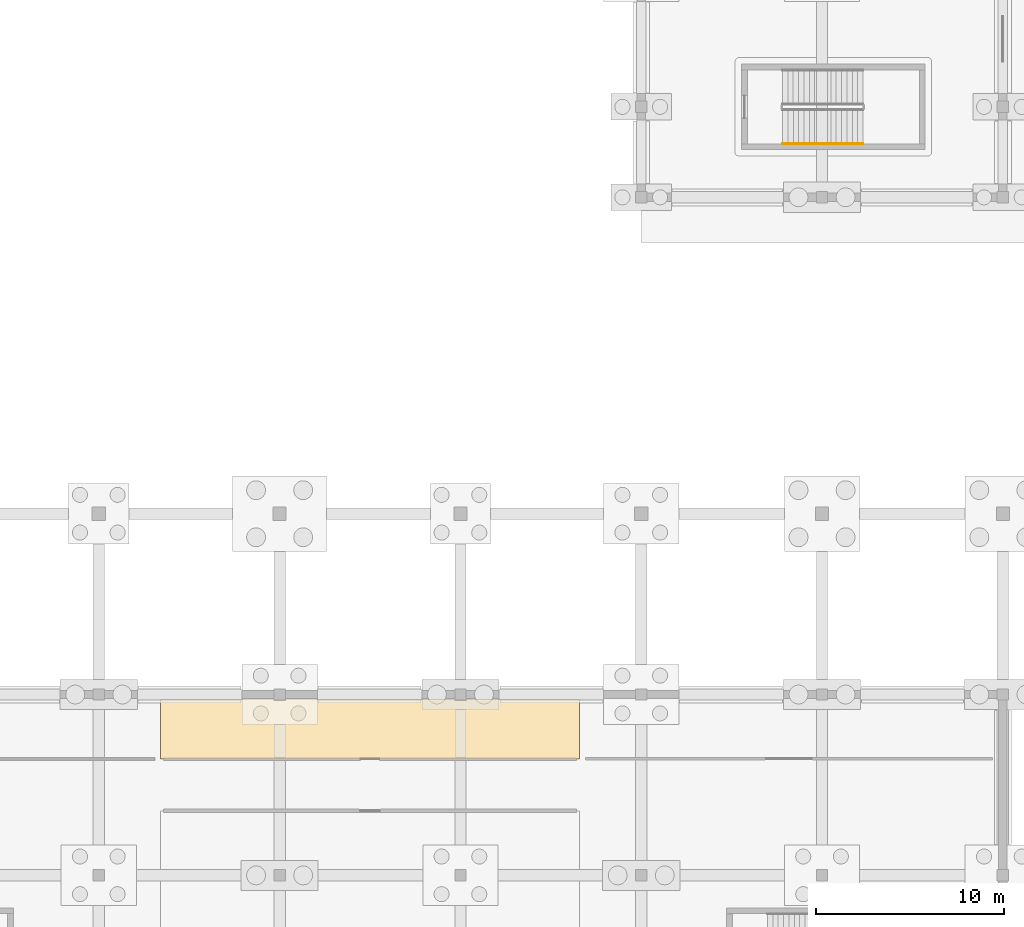
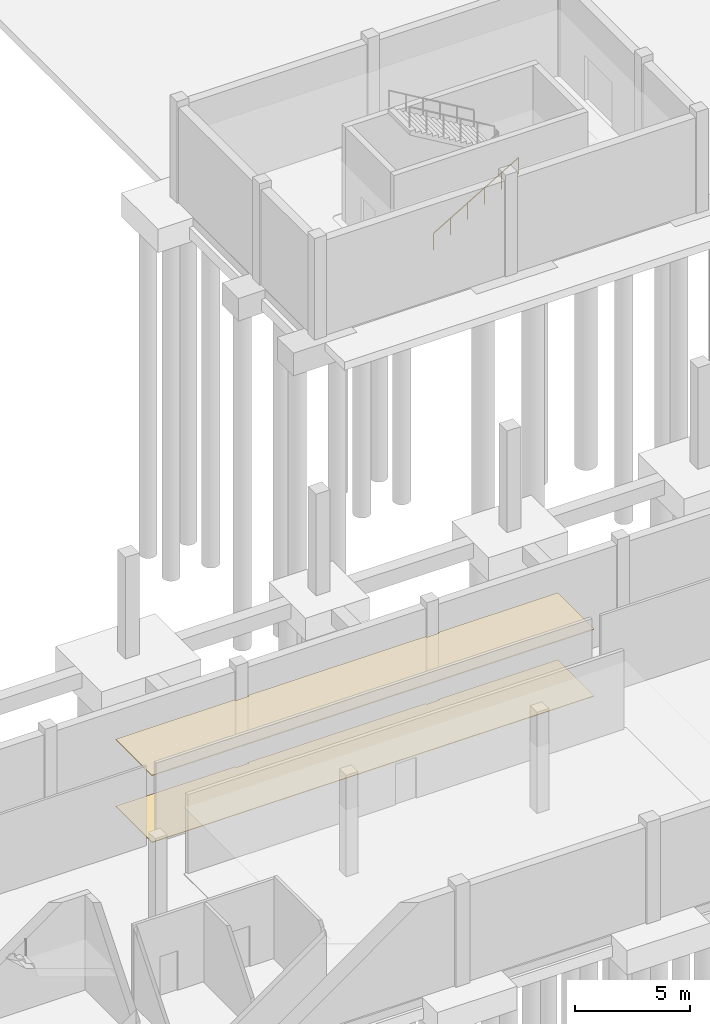
# One storey, part 33 of 41: 2 coverings, 1 railing.
"""IFC4 building model written with IfcOpenShell, lengths in metres."""

from ifc_helpers import new_model, si_unit, direction, frame, origin, origin_2d, place, context, subcontext, project, spatial, polyline, circle, outline, extrude, material, layer, layer_set, type_object, element, save


model = new_model("IFC4")

# Units and contexts
model_context = context("Model", 3, precision=1e-05, world=origin(), true_north=direction((0.0, 1.0)))
body_context = subcontext(model_context, "Body", "Model", "MODEL_VIEW")
ifc_project = project(units=[si_unit("LENGTHUNIT", "METRE"), si_unit("AREAUNIT", "SQUARE_METRE"), si_unit("VOLUMEUNIT", "CUBIC_METRE"), si_unit("PLANEANGLEUNIT", "RADIAN"), si_unit("MASSUNIT", "GRAM", prefix="KILO")], contexts=[model_context])

# Site, building, storey
site_placement = place(None, origin())
site = spatial("IfcSite", under=ifc_project, at=site_placement, CompositionType="ELEMENT")
building_placement = place(site_placement, origin())
building = spatial("IfcBuilding", under=site, at=building_placement, Name="Shalvenor Court Art Gallery", CompositionType="ELEMENT")
storey_placement = place(building_placement, frame((0.0, 0.0, -5.39990234375)))
storey = spatial("IfcBuildingStorey", under=building, at=storey_placement, Name="B01", CompositionType="ELEMENT", Elevation=-5.39990234375)

# Coverings
ifc_material_1 = material(Name="Acoustic hinoki timber slat ceiling", Category="wood")
ifc_layer_1 = layer(ifc_material_1, 0.054931640625, Name="Acoustic hinoki timber slat ceiling")
ifc_layer_set_1 = layer_set([ifc_layer_1], Name="Acoustic hinoki timber slat ceiling")
covering_type_1 = type_object("IfcCoveringType", Name="CLG-02", PredefinedType="CEILING", material=ifc_layer_set_1)
covering_1_placement = place(storey_placement, frame((0.0, 0.0, 3.5498046875)))
element("IfcCovering", 1, at=covering_1_placement, inside=storey, type_object=covering_type_1, Name="B01 Auditorium Projection And Audio Suite Wing B Acoustic Ceiling", PredefinedType="CEILING", context=body_context, shape_type="SweptSolid", body=[
    extrude(outline(polyline([(44.719970703125, 15.780029296875), (22.47998046875, 15.780029296875), (22.47998046875, 18.949951171875), (28.47998046875, 18.949951171875), (28.47998046875, 18.8798828125), (29.1201171875, 18.8798828125), (29.1201171875, 18.949951171875), (38.080078125, 18.949951171875), (38.080078125, 18.8798828125), (38.719970703125, 18.8798828125), (38.719970703125, 18.949951171875), (44.719970703125, 18.949951171875), (44.719970703125, 15.780029296875)])), origin(), (0.0, 0.0, 1.0), 0.045166015625),
])
ifc_material_2 = material(Name="Honed pale limestone terrazzo flooring", Category="masonry")
ifc_layer_2 = layer(ifc_material_2, 0.0400390625, Name="Honed pale limestone terrazzo flooring")
ifc_layer_set_2 = layer_set([ifc_layer_2], Name="Honed pale limestone terrazzo flooring")
covering_type_2 = type_object("IfcCoveringType", Name="FLR-01", PredefinedType="FLOORING", material=ifc_layer_set_2)
covering_2_placement = place(storey_placement, origin())
element("IfcCovering", 2, at=covering_2_placement, inside=storey, type_object=covering_type_2, Name="B01 Auditorium Projection And Audio Suite Wing B Flooring", PredefinedType="FLOORING", context=body_context, shape_type="SweptSolid", body=[
    extrude(outline(polyline([(44.719970703125, 15.780029296875), (22.47998046875, 15.780029296875), (22.47998046875, 18.949951171875), (28.47998046875, 18.949951171875), (28.47998046875, 18.8798828125), (29.1201171875, 18.8798828125), (29.1201171875, 18.949951171875), (38.080078125, 18.949951171875), (38.080078125, 18.8798828125), (38.719970703125, 18.8798828125), (38.719970703125, 18.949951171875), (44.719970703125, 18.949951171875), (44.719970703125, 15.780029296875)])), origin(), (0.0, 0.0, 1.0), 0.031982421875),
])

# Railing
ifc_material_3 = material(Name="Brushed stainless steel handrail", Category="steel")
railing_type = type_object("IfcRailingType", Name="HR-01", PredefinedType="HANDRAIL", material=ifc_material_3)
railing_placement = place(storey_placement, frame((55.5, 48.449951171875, 0.168701171875)))
element("IfcRailing", 3, at=railing_placement, inside=storey, type_object=railing_type, Name="B01 ST-10 Stair Handrail 1", PredefinedType="HANDRAIL", context=body_context, shape_type="SweptSolid", body=[
    extrude(circle(Radius=0.02392578125, at=origin_2d()), frame((0.0, 0.0, 0.8759765625), z_axis=(0.860470286479, 0.0, 0.509500624227), x_axis=(0.0, 1.0, 0.0)), (0.0, 0.0, 1.0), 4.968017578125),
    extrude(circle(Radius=0.02099609375, at=origin_2d()), origin(), (0.0, 0.0, 1.0), 0.851806640625),
    extrude(circle(Radius=0.02099609375, at=origin_2d()), frame((0.85498046875, 0.0, 0.50634765625)), (0.0, 0.0, 1.0), 0.851806640625),
    extrude(circle(Radius=0.02099609375, at=origin_2d()), frame((1.7099609375, 0.0, 1.012451171875)), (0.0, 0.0, 1.0), 0.851806640625),
    extrude(circle(Radius=0.02099609375, at=origin_2d()), frame((2.56494140625, 0.0, 1.518798828125)), (0.0, 0.0, 1.0), 0.851806640625),
    extrude(circle(Radius=0.02099609375, at=origin_2d()), frame((3.419921875, 0.0, 2.02490234375)), (0.0, 0.0, 1.0), 0.851806640625),
    extrude(circle(Radius=0.02099609375, at=origin_2d()), frame((4.27490234375, 0.0, 2.53125)), (0.0, 0.0, 1.0), 0.851806640625),
])

save(model, "model.ifc")
